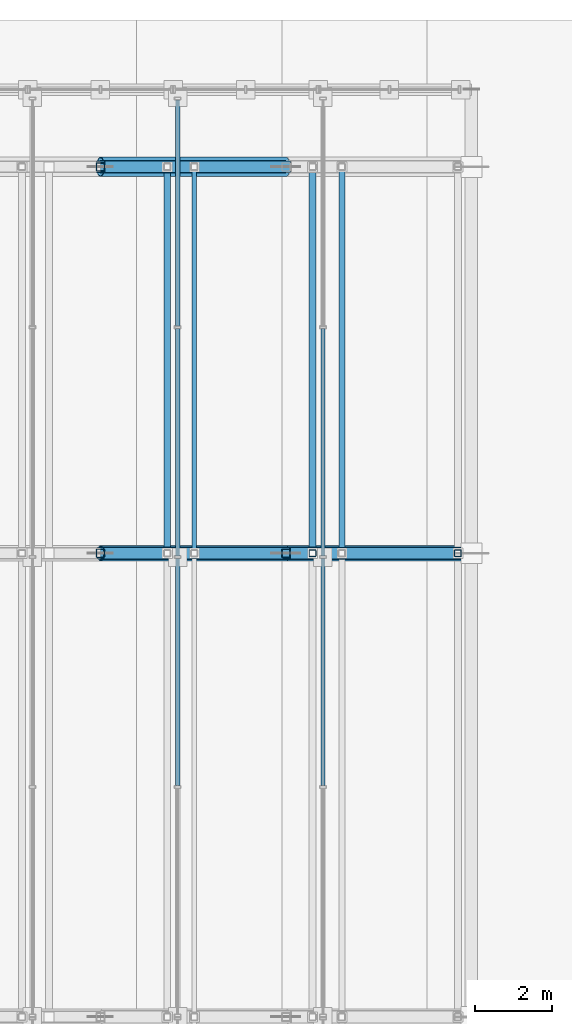
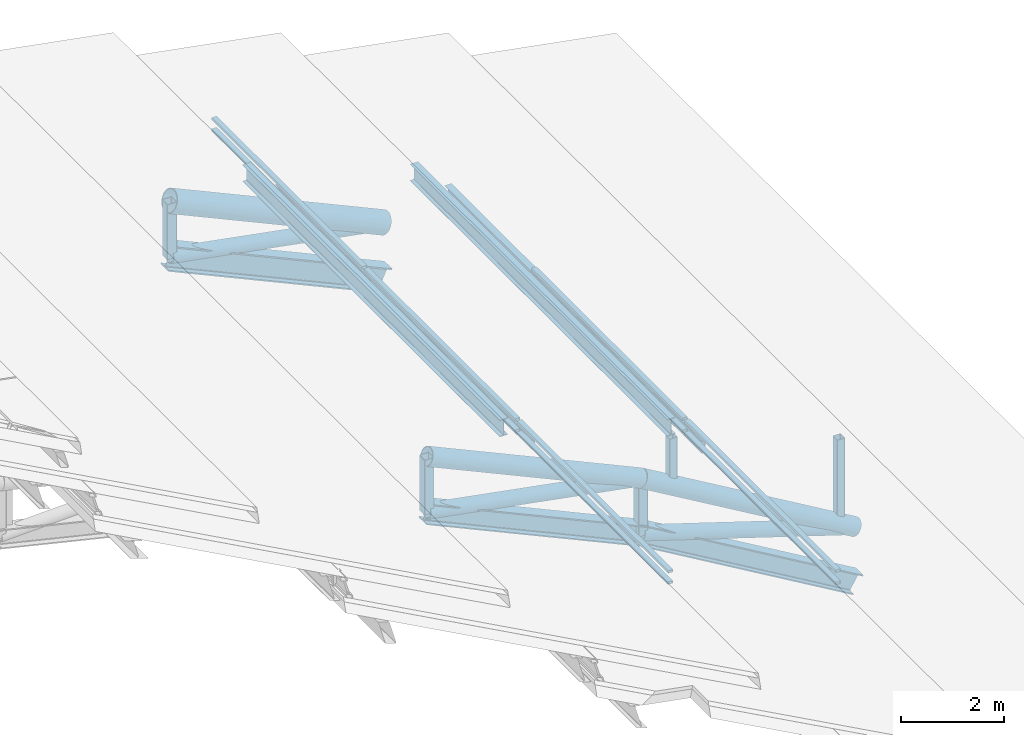
# One storey, part 41 of 117: 28 members, 2 elements without a shape of their own.
"""IFC4 building model written with IfcOpenShell, lengths in metres."""

import ifcopenshell
import ifcopenshell.guid

model = None  # the IFC model being written
_history = None  # IfcOwnerHistory: only IFC2X3 demands one
_inside = {}  # id of a spatial element -> (the spatial element, [elements in it])
_under = {}  # id of a project, library or spatial element -> (it, [spatial elements below it])
_declared = {}  # id of a project -> (the project, [libraries it declares])
_typed = {}  # id of a type object -> (the type object, [elements of that type])
_made_of = {}  # id of a material, layer set ... -> (it, [elements and type objects made of it])


def new_model(schema):
    """Start an empty IFC model of exactly this schema.

    Asked for "IFC4X3", IfcOpenShell would pick the latest addendum, in which some entities
    have other attributes; the version numbers below select the first issue.
    IFC2X3 requires an IfcOwnerHistory on every rooted entity: one is made here for all.
    """
    global model, _history
    if schema == "IFC4X3":
        model = ifcopenshell.file(schema_version=(4, 3, 0, 0))
    else:
        model = ifcopenshell.file(schema=schema)
    _inside.clear()
    _under.clear()
    _declared.clear()
    _typed.clear()
    _made_of.clear()
    _history = None
    if model.schema == "IFC2X3":
        org = make("IfcOrganization", Name="unknown")
        user = make(
            "IfcPersonAndOrganization",
            ThePerson=make("IfcPerson", FamilyName="unknown"),
            TheOrganization=org,
        )
        app = make(
            "IfcApplication",
            ApplicationDeveloper=org,
            Version="unknown",
            ApplicationFullName="unknown",
            ApplicationIdentifier="unknown",
        )
        _history = make(
            "IfcOwnerHistory",
            OwningUser=user,
            OwningApplication=app,
            ChangeAction="ADDED",
            CreationDate=0,
        )
    return model


def make(cls, **values):
    """One entity of the class cls with the attributes given. An attribute that is None is left unset."""
    return model.create_entity(
        cls, **{name: value for name, value in values.items() if value is not None}
    )


def rooted(cls, **values):
    """An entity with a GlobalId (a new one), such as an element, a storey or a relation."""
    return make(cls, GlobalId=ifcopenshell.guid.new(), OwnerHistory=_history, **values)


def si_unit(unit_type, name, prefix=None):
    """IfcSIUnit, for example si_unit("LENGTHUNIT", "METRE", prefix="MILLI")."""
    return make("IfcSIUnit", UnitType=unit_type, Prefix=prefix, Name=name)


def assignment(units):
    """IfcUnitAssignment: the units of a project."""
    return None if units is None else make("IfcUnitAssignment", Units=units)


def point(xyz):
    """IfcCartesianPoint."""
    return None if xyz is None else make("IfcCartesianPoint", Coordinates=xyz)


def direction(xyz):
    """IfcDirection."""
    return None if xyz is None else make("IfcDirection", DirectionRatios=xyz)


def frame(location, z_axis=None, x_axis=None):
    """IfcAxis2Placement3D, a coordinate frame: its origin and axes. An axis left out is left unset."""
    return make(
        "IfcAxis2Placement3D",
        Location=point(location),
        Axis=direction(z_axis),
        RefDirection=direction(x_axis),
    )


def frame_2d(location, x_axis=None):
    """IfcAxis2Placement2D, a coordinate frame in the plane: its origin and x axis."""
    return make(
        "IfcAxis2Placement2D", Location=point(location), RefDirection=direction(x_axis)
    )


def origin():
    """The frame at (0, 0, 0) with its axes left unset."""
    return frame((0.0, 0.0, 0.0))


def origin_2d():
    """The frame at (0, 0) in the plane with its x axis left unset."""
    return frame_2d((0.0, 0.0))


def place(relative_to, where):
    """IfcLocalPlacement: puts the frame where relative to a parent placement (None: the world)."""
    return make(
        "IfcLocalPlacement", PlacementRelTo=relative_to, RelativePlacement=where
    )


def context(
    kind, dimensions, precision=None, world=None, true_north=None, identifier=None
):
    """IfcGeometricRepresentationContext, for example the 3D "Model" context."""
    return make(
        "IfcGeometricRepresentationContext",
        ContextIdentifier=identifier,
        ContextType=kind,
        CoordinateSpaceDimension=dimensions,
        Precision=precision,
        WorldCoordinateSystem=world,
        TrueNorth=true_north,
    )


def subcontext(parent, identifier, kind, view, scale=None):
    """IfcGeometricRepresentationSubContext, for example "Body" below "Model"."""
    return make(
        "IfcGeometricRepresentationSubContext",
        ContextIdentifier=identifier,
        ContextType=kind,
        ParentContext=parent,
        TargetScale=scale,
        TargetView=view,
    )


def project(units=None, contexts=None):
    """IfcProject with its units and contexts."""
    return rooted(
        "IfcProject",
        Name="project",
        RepresentationContexts=contexts,
        UnitsInContext=assignment(units),
    )


def spatial(cls, under=None, at=None, **own):
    """A site, building, storey or space (cls), placed at a placement, below another one or the project."""
    s = rooted(cls, ObjectPlacement=at, **own)
    if under is not None:
        _under.setdefault(under.id(), (under, []))[1].append(s)
    return s


def profile(cls, at=None, kind="AREA", **sizes):
    """A parametric profile (cls). Its sizes go by their IFC names, for example OverallWidth=200.0."""
    return make(cls, ProfileType=kind, Position=at, **sizes)


def hollow_rectangle(**sizes):
    """IfcRectangleHollowProfileDef."""
    return profile("IfcRectangleHollowProfileDef", **sizes)


def hollow_circle(**sizes):
    """IfcCircleHollowProfileDef."""
    return profile("IfcCircleHollowProfileDef", **sizes)


def i_section(**sizes):
    """IfcIShapeProfileDef."""
    return profile("IfcIShapeProfileDef", **sizes)


def extrude(swept, where, along, depth):
    """IfcExtrudedAreaSolid: the profile swept, set in the frame where, extruded along a direction by depth."""
    return make(
        "IfcExtrudedAreaSolid",
        SweptArea=swept,
        Position=where,
        ExtrudedDirection=direction(along),
        Depth=depth,
    )


def shape(context_of_items, identifier, shape_type, items):
    """IfcShapeRepresentation: the items that make up one representation, for example the "Body"."""
    return make(
        "IfcShapeRepresentation",
        ContextOfItems=context_of_items,
        RepresentationIdentifier=identifier,
        RepresentationType=shape_type,
        Items=items,
    )


def material(Name=None, Category=None):
    """IfcMaterial."""
    return make("IfcMaterial", Name=Name, Category=Category)


def material_profile(
    of_material, cross_section, Name=None, Category=None, Priority=None
):
    """IfcMaterialProfile: a cross section and its material."""
    return make(
        "IfcMaterialProfile",
        Name=Name,
        Material=of_material,
        Profile=cross_section,
        Priority=Priority,
        Category=Category,
    )


def profile_set(profiles, Name=None, composite=None):
    """IfcMaterialProfileSet."""
    return make(
        "IfcMaterialProfileSet",
        Name=Name,
        MaterialProfiles=profiles,
        CompositeProfile=composite,
    )


def made_of(thing, what):
    """Note that an element or type object is made of a material, layer set ...; save() writes the relation."""
    if what is not None:
        _made_of.setdefault(what.id(), (what, []))[1].append(thing)
    return thing


def type_object(cls, material=None, **own):
    """A type object (cls), such as IfcWallType, which elements share."""
    return made_of(rooted(cls, **own), material)


def element(
    cls,
    number,
    at=None,
    inside=None,
    cuts=None,
    type_object=None,
    material=None,
    context=None,
    identifier="Body",
    shape_type=None,
    held_by="IfcProductDefinitionShape",
    body=None,
    shapes=None,
    **own,
):
    """One element of the class cls, such as IfcWall. Its Tag is "e" and its number.

    at: its placement. inside: the storey or other place that contains it. cuts: it is an
    opening in that element (IfcRelVoidsElement). A single representation is given by context,
    identifier, shape_type and body (its items); several are given by shapes. held_by: the class
    of the entity that holds the representations. save() writes the other relations.
    """
    e = rooted(cls, Tag="e%d" % number, ObjectPlacement=at, **own)
    if body is not None:
        shapes = [shape(context, identifier, shape_type, body)]
    if shapes is not None:
        e.Representation = make(held_by, Representations=shapes)
    if inside is not None:
        _inside.setdefault(inside.id(), (inside, []))[1].append(e)
    if cuts is not None:
        rooted(
            "IfcRelVoidsElement", RelatingBuildingElement=cuts, RelatedOpeningElement=e
        )
    if type_object is not None:
        _typed.setdefault(type_object.id(), (type_object, []))[1].append(e)
    return made_of(e, material)


def aggregate(whole, parts):
    """IfcRelAggregates: a whole, such as a stair, and the parts it consists of."""
    return rooted("IfcRelAggregates", RelatingObject=whole, RelatedObjects=parts)


def save(model, path):
    """Write the relations noted so far, then the file.

    IfcRelAggregates (storeys below a building ...), IfcRelContainedInSpatialStructure (elements
    in a storey), IfcRelDefinesByType, IfcRelAssociatesMaterial and IfcRelDeclares: one each for
    every whole, place, type object, material and project.
    """
    for whole, parts in _under.values():
        aggregate(whole, parts)
    for where, things in _inside.values():
        rooted(
            "IfcRelContainedInSpatialStructure",
            RelatedElements=things,
            RelatingStructure=where,
        )
    for kind, things in _typed.values():
        rooted("IfcRelDefinesByType", RelatedObjects=things, RelatingType=kind)
    for what, things in _made_of.values():
        rooted("IfcRelAssociatesMaterial", RelatedObjects=things, RelatingMaterial=what)
    for by, libraries in _declared.values():
        rooted("IfcRelDeclares", RelatingContext=by, RelatedDefinitions=libraries)
    model.write(path)


model = new_model("IFC4")

# Units and contexts
model_context = context("Model", 3, precision=1e-05, world=origin(), true_north=direction((0.0, 1.0)))
body_context = subcontext(model_context, "Body", "Model", "MODEL_VIEW")
ifc_project = project(units=[si_unit("LENGTHUNIT", "METRE"), si_unit("AREAUNIT", "SQUARE_METRE"), si_unit("VOLUMEUNIT", "CUBIC_METRE"), si_unit("PLANEANGLEUNIT", "RADIAN"), si_unit("MASSUNIT", "GRAM", prefix="KILO")], contexts=[model_context])

# Site, building, storey
site_placement = place(None, origin())
site = spatial("IfcSite", under=ifc_project, at=site_placement, CompositionType="ELEMENT")
building_placement = place(site_placement, origin())
building = spatial("IfcBuilding", under=site, at=building_placement, Name="Merenkruunu Market Hall", CompositionType="ELEMENT")
storey_placement = place(building_placement, frame((0.0, 0.0, 22.800048828125)))
storey = spatial("IfcBuildingStorey", under=building, at=storey_placement, Name="RF", CompositionType="ELEMENT", Elevation=22.800048828125)

# Members
ifc_material_1 = material(Name="Steel S355ML", Category="steel")
ifc_material_profile_1 = material_profile(ifc_material_1, hollow_circle(Radius=0.25390625, WallThickness=0.02001953125, at=origin_2d()), Name="CHS 508x20")
ifc_profile_set_1 = profile_set([ifc_material_profile_1], Name="Steel S355ML")
member_type_1 = type_object("IfcMemberType", Name="Arch Truss Chord TC01", PredefinedType="CHORD", material=ifc_profile_set_1)
member_1_placement = place(storey_placement, frame((48.0, 109.60009765625, -5.12109375), z_axis=(0.909419998666, 0.0, -0.415878907889), x_axis=(0.0, 1.0, 0.0)))
element("IfcMember", 1, at=member_1_placement, inside=storey, type_object=member_type_1, Name="TRUSS-AT-G-TOP-11", PredefinedType="CHORD", context=body_context, shape_type="SweptSolid", body=[
    extrude(hollow_circle(Radius=0.25390625, WallThickness=0.02001953125, at=origin_2d()), origin(), (0.0, 0.0, 1.0), 5.278076171875),
])
ifc_material_profile_2 = material_profile(ifc_material_1, hollow_circle(Radius=0.203125, WallThickness=0.01611328125, at=origin_2d()), Name="CHS 406.4x16")
ifc_profile_set_2 = profile_set([ifc_material_profile_2], Name="Steel S355ML")
member_type_2 = type_object("IfcMemberType", Name="Arch Truss Chord TC02", PredefinedType="CHORD", material=ifc_profile_set_2)
member_2_placement = place(storey_placement, frame((48.0, 99.60009765625, -5.12109375), z_axis=(0.909419998666, 0.0, -0.415878907889), x_axis=(0.0, 1.0, 0.0)))
element("IfcMember", 2, at=member_2_placement, inside=storey, type_object=member_type_2, Name="TRUSS-AT-8-TOP-11", PredefinedType="CHORD", context=body_context, shape_type="SweptSolid", body=[
    extrude(hollow_circle(Radius=0.203125, WallThickness=0.01611328125, at=origin_2d()), origin(), (0.0, 0.0, 1.0), 5.278076171875),
])
member_3_placement = place(storey_placement, frame((52.800048828125, 99.60009765625, -7.316162109375), z_axis=(0.861115679414, 0.0, -0.508409074139), x_axis=(0.0, 1.0, 0.0)))
element("IfcMember", 3, at=member_3_placement, inside=storey, type_object=member_type_2, Name="TRUSS-AT-8-TOP-12", PredefinedType="CHORD", context=body_context, shape_type="SweptSolid", body=[
    extrude(hollow_circle(Radius=0.203125, WallThickness=0.01611328125, at=origin_2d()), origin(), (0.0, 0.0, 1.0), 5.57421875),
])
ifc_material_profile_3 = material_profile(ifc_material_1, i_section(OverallWidth=0.300048828125, OverallDepth=0.550048828125, WebThickness=0.014892578125, FlangeThickness=0.029052734375, FilletRadius=0.027099609375, at=origin_2d()), Name="HEB 550")
ifc_profile_set_3 = profile_set([ifc_material_profile_3], Name="Steel S355ML")
member_type_3 = type_object("IfcMemberType", Name="Arch Truss Chord TC03", PredefinedType="CHORD", material=ifc_profile_set_3)
member_4_placement = place(storey_placement, frame((48.0, 109.60009765625, -6.421142578125), z_axis=(0.909437492245, 0.0, -0.415840651812), x_axis=(0.0, 1.0, 0.0)))
element("IfcMember", 4, at=member_4_placement, inside=storey, type_object=member_type_3, Name="TRUSS-AT-G-BOT-11", PredefinedType="CHORD", context=body_context, shape_type="SweptSolid", body=[
    extrude(i_section(OverallWidth=0.300048828125, OverallDepth=0.550048828125, WebThickness=0.014892578125, FlangeThickness=0.029052734375, FilletRadius=0.027099609375, at=origin_2d()), origin(), (0.0, 0.0, 1.0), 5.278076171875),
])
ifc_material_profile_4 = material_profile(ifc_material_1, i_section(OverallWidth=0.300048828125, OverallDepth=0.449951171875, WebThickness=0.013916015625, FlangeThickness=0.02587890625, FilletRadius=0.027099609375, at=origin_2d()), Name="HEB 450")
ifc_profile_set_4 = profile_set([ifc_material_profile_4], Name="Steel S355ML")
member_type_4 = type_object("IfcMemberType", Name="Arch Truss Chord TC04", PredefinedType="CHORD", material=ifc_profile_set_4)
member_5_placement = place(storey_placement, frame((48.0, 99.60009765625, -6.421142578125), z_axis=(0.909437492245, 0.0, -0.415840651812), x_axis=(0.0, 1.0, 0.0)))
element("IfcMember", 5, at=member_5_placement, inside=storey, type_object=member_type_4, Name="TRUSS-AT-8-BOT-11", PredefinedType="CHORD", context=body_context, shape_type="SweptSolid", body=[
    extrude(i_section(OverallWidth=0.300048828125, OverallDepth=0.449951171875, WebThickness=0.013916015625, FlangeThickness=0.02587890625, FilletRadius=0.027099609375, at=origin_2d()), origin(), (0.0, 0.0, 1.0), 5.278076171875),
])
member_6_placement = place(storey_placement, frame((52.800048828125, 99.60009765625, -8.615966796875), z_axis=(0.861115679414, 0.0, -0.508409074139), x_axis=(0.0, 1.0, 0.0)))
element("IfcMember", 6, at=member_6_placement, inside=storey, type_object=member_type_4, Name="TRUSS-AT-8-BOT-12", PredefinedType="CHORD", context=body_context, shape_type="SweptSolid", body=[
    extrude(i_section(OverallWidth=0.300048828125, OverallDepth=0.449951171875, WebThickness=0.013916015625, FlangeThickness=0.02587890625, FilletRadius=0.027099609375, at=origin_2d()), origin(), (0.0, 0.0, 1.0), 5.57421875),
])

# Curtain wall, members
ifc_material_2 = material(Name="Powder-coated aluminium", Category="aluminium")
curtain_wall_type = type_object("IfcCurtainWallType", Name="Clerestory Curtain Band CL05", PredefinedType="USERDEFINED", material=ifc_material_2)
curtain_wall_1_placement = place(storey_placement, origin())
curtain_wall_1 = element("IfcCurtainWall", 7, at=curtain_wall_1_placement, inside=storey, type_object=curtain_wall_type, Name="CW-RF-CWM04-088", ObjectType="CLERESTORY_BAND", PredefinedType="USERDEFINED")
ifc_material_profile_5 = material_profile(ifc_material_2, hollow_rectangle(XDim=0.06005859375, YDim=0.110107421875, WallThickness=0.00390625, at=origin_2d()), Name="ALU 60x110x4")
ifc_profile_set_5 = profile_set([ifc_material_profile_5], Name="Powder-coated aluminium")
member_type_5 = type_object("IfcMemberType", Name="Curtain Wall Transom CWT03", PredefinedType="USERDEFINED", material=ifc_profile_set_5)
member_7_placement = place(storey_placement, frame((53.760009765625, 105.4150390625, -6.491943359375), z_axis=(0.0, -1.0, 0.0), x_axis=(0.0, 0.0, 1.0)))
member_7 = element("IfcMember", 8, at=member_7_placement, type_object=member_type_5, Name="CL05 transom 2.1", ObjectType="TRANSOM", PredefinedType="USERDEFINED", context=body_context, shape_type="SweptSolid", body=[
    extrude(hollow_rectangle(XDim=0.06005859375, YDim=0.110107421875, WallThickness=0.00390625, at=origin_2d()), origin(), (0.0, 0.0, 1.0), 5.880126953125),
])
member_8_placement = place(storey_placement, frame((53.760009765625, 105.4150390625, -6.2041015625), z_axis=(0.0, -1.0, 0.0), x_axis=(0.0, 0.0, 1.0)))
member_8 = element("IfcMember", 9, at=member_8_placement, type_object=member_type_5, Name="CL05 transom 2.2", ObjectType="TRANSOM", PredefinedType="USERDEFINED", context=body_context, shape_type="SweptSolid", body=[
    extrude(hollow_rectangle(XDim=0.06005859375, YDim=0.110107421875, WallThickness=0.00390625, at=origin_2d()), origin(), (0.0, 0.0, 1.0), 5.880126953125),
])
member_9_placement = place(storey_placement, frame((53.760009765625, 99.465087890625, -6.491943359375), z_axis=(0.0, -1.0, 0.0), x_axis=(0.0, 0.0, 1.0)))
member_9 = element("IfcMember", 10, at=member_9_placement, type_object=member_type_5, Name="CL05 transom 3.1", ObjectType="TRANSOM", PredefinedType="USERDEFINED", context=body_context, shape_type="SweptSolid", body=[
    extrude(hollow_rectangle(XDim=0.06005859375, YDim=0.110107421875, WallThickness=0.00390625, at=origin_2d()), origin(), (0.0, 0.0, 1.0), 5.880126953125),
])
member_10_placement = place(storey_placement, frame((53.760009765625, 99.465087890625, -6.2041015625), z_axis=(0.0, -1.0, 0.0), x_axis=(0.0, 0.0, 1.0)))
member_10 = element("IfcMember", 11, at=member_10_placement, type_object=member_type_5, Name="CL05 transom 3.2", ObjectType="TRANSOM", PredefinedType="USERDEFINED", context=body_context, shape_type="SweptSolid", body=[
    extrude(hollow_rectangle(XDim=0.06005859375, YDim=0.110107421875, WallThickness=0.00390625, at=origin_2d()), origin(), (0.0, 0.0, 1.0), 5.880126953125),
])
aggregate(curtain_wall_1, [member_7, member_8, member_9, member_10])

curtain_wall_2_placement = place(storey_placement, origin())
curtain_wall_2 = element("IfcCurtainWall", 12, at=curtain_wall_2_placement, inside=storey, type_object=curtain_wall_type, Name="CW-RF-CWM04-096", ObjectType="CLERESTORY_BAND", PredefinedType="USERDEFINED")
member_11_placement = place(storey_placement, frame((50.0, 111.330078125, -5.172119140625), z_axis=(0.0, -1.0, 0.0), x_axis=(0.0, 0.0, 1.0)))
member_11 = element("IfcMember", 13, at=member_11_placement, type_object=member_type_5, Name="CL05 transom 1.1", ObjectType="TRANSOM", PredefinedType="USERDEFINED", context=body_context, shape_type="SweptSolid", body=[
    extrude(hollow_rectangle(XDim=0.06005859375, YDim=0.110107421875, WallThickness=0.00390625, at=origin_2d()), origin(), (0.0, 0.0, 1.0), 5.844970703125),
])
member_12_placement = place(storey_placement, frame((50.0, 111.330078125, -4.905029296875), z_axis=(0.0, -1.0, 0.0), x_axis=(0.0, 0.0, 1.0)))
member_12 = element("IfcMember", 14, at=member_12_placement, type_object=member_type_5, Name="CL05 transom 1.2", ObjectType="TRANSOM", PredefinedType="USERDEFINED", context=body_context, shape_type="SweptSolid", body=[
    extrude(hollow_rectangle(XDim=0.06005859375, YDim=0.110107421875, WallThickness=0.00390625, at=origin_2d()), origin(), (0.0, 0.0, 1.0), 5.844970703125),
])
member_13_placement = place(storey_placement, frame((50.0, 105.4150390625, -5.172119140625), z_axis=(0.0, -1.0, 0.0), x_axis=(0.0, 0.0, 1.0)))
member_13 = element("IfcMember", 15, at=member_13_placement, type_object=member_type_5, Name="CL05 transom 2.1", ObjectType="TRANSOM", PredefinedType="USERDEFINED", context=body_context, shape_type="SweptSolid", body=[
    extrude(hollow_rectangle(XDim=0.06005859375, YDim=0.110107421875, WallThickness=0.00390625, at=origin_2d()), origin(), (0.0, 0.0, 1.0), 5.880126953125),
])
member_14_placement = place(storey_placement, frame((50.0, 105.4150390625, -4.905029296875), z_axis=(0.0, -1.0, 0.0), x_axis=(0.0, 0.0, 1.0)))
member_14 = element("IfcMember", 16, at=member_14_placement, type_object=member_type_5, Name="CL05 transom 2.2", ObjectType="TRANSOM", PredefinedType="USERDEFINED", context=body_context, shape_type="SweptSolid", body=[
    extrude(hollow_rectangle(XDim=0.06005859375, YDim=0.110107421875, WallThickness=0.00390625, at=origin_2d()), origin(), (0.0, 0.0, 1.0), 5.880126953125),
])
member_15_placement = place(storey_placement, frame((50.0, 99.465087890625, -5.172119140625), z_axis=(0.0, -1.0, 0.0), x_axis=(0.0, 0.0, 1.0)))
member_15 = element("IfcMember", 17, at=member_15_placement, type_object=member_type_5, Name="CL05 transom 3.1", ObjectType="TRANSOM", PredefinedType="USERDEFINED", context=body_context, shape_type="SweptSolid", body=[
    extrude(hollow_rectangle(XDim=0.06005859375, YDim=0.110107421875, WallThickness=0.00390625, at=origin_2d()), origin(), (0.0, 0.0, 1.0), 5.880126953125),
])
member_16_placement = place(storey_placement, frame((50.0, 99.465087890625, -4.905029296875), z_axis=(0.0, -1.0, 0.0), x_axis=(0.0, 0.0, 1.0)))
member_16 = element("IfcMember", 18, at=member_16_placement, type_object=member_type_5, Name="CL05 transom 3.2", ObjectType="TRANSOM", PredefinedType="USERDEFINED", context=body_context, shape_type="SweptSolid", body=[
    extrude(hollow_rectangle(XDim=0.06005859375, YDim=0.110107421875, WallThickness=0.00390625, at=origin_2d()), origin(), (0.0, 0.0, 1.0), 5.880126953125),
])
aggregate(curtain_wall_2, [member_11, member_12, member_13, member_14, member_15, member_16])

# Members
ifc_material_profile_6 = material_profile(ifc_material_1, hollow_circle(Radius=0.161865234375, WallThickness=0.01611328125, at=origin_2d()), Name="CHS 323.9x16")
ifc_profile_set_6 = profile_set([ifc_material_profile_6], Name="Steel S355ML")
member_type_6 = type_object("IfcMemberType", Name="Diagonal Sway Brace BR01", PredefinedType="BRACE", material=ifc_profile_set_6)
member_17_placement = place(storey_placement, frame((48.0, 99.60009765625, -6.421142578125), z_axis=(0.983056786802, 0.0, -0.18330126547), x_axis=(0.0, 1.0, 0.0)))
element("IfcMember", 19, at=member_17_placement, inside=storey, type_object=member_type_6, Name="TRUSS-AT-8-DIAG-11", PredefinedType="BRACE", context=body_context, shape_type="SweptSolid", body=[
    extrude(hollow_circle(Radius=0.161865234375, WallThickness=0.01611328125, at=origin_2d()), origin(), (0.0, 0.0, 1.0), 4.8828125),
])
member_18_placement = place(storey_placement, frame((52.800048828125, 99.60009765625, -8.615966796875), z_axis=(0.95252984503, 0.0, -0.304445223853), x_axis=(0.0, 1.0, 0.0)))
element("IfcMember", 20, at=member_18_placement, inside=storey, type_object=member_type_6, Name="TRUSS-AT-8-DIAG-12", PredefinedType="BRACE", context=body_context, shape_type="SweptSolid", body=[
    extrude(hollow_circle(Radius=0.161865234375, WallThickness=0.01611328125, at=origin_2d()), origin(), (0.0, 0.0, 1.0), 5.039306640625),
])
member_19_placement = place(storey_placement, frame((48.0, 109.60009765625, -6.421142578125), z_axis=(0.983056786802, 0.0, -0.18330126547), x_axis=(0.0, 1.0, 0.0)))
element("IfcMember", 21, at=member_19_placement, inside=storey, type_object=member_type_6, Name="TRUSS-AT-G-DIAG-11", PredefinedType="BRACE", context=body_context, shape_type="SweptSolid", body=[
    extrude(hollow_circle(Radius=0.161865234375, WallThickness=0.01611328125, at=origin_2d()), origin(), (0.0, 0.0, 1.0), 4.8828125),
])
ifc_material_3 = material(Name="Steel S355J2", Category="steel")
ifc_material_profile_7 = material_profile(ifc_material_3, hollow_rectangle(XDim=0.219970703125, YDim=0.219970703125, WallThickness=0.012451171875, InnerFilletRadius=0.012451171875, OuterFilletRadius=0.02490234375, at=origin_2d()), Name="SHS 220x220x12.5")
ifc_profile_set_7 = profile_set([ifc_material_profile_7], Name="Steel S355J2")
member_type_7 = type_object("IfcMemberType", Name="Diagonal Sway Brace BR04", PredefinedType="BRACE", material=ifc_profile_set_7)
member_20_placement = place(storey_placement, frame((48.0, 99.60009765625, -6.421142578125), z_axis=(0.0, 0.0, 1.0), x_axis=(1.0, 0.0, 0.0)))
element("IfcMember", 22, at=member_20_placement, inside=storey, type_object=member_type_7, Name="TRUSS-AT-8-POST-10", PredefinedType="BRACE", context=body_context, shape_type="SweptSolid", body=[
    extrude(hollow_rectangle(XDim=0.219970703125, YDim=0.219970703125, WallThickness=0.012451171875, InnerFilletRadius=0.012451171875, OuterFilletRadius=0.02490234375, at=origin_2d()), origin(), (0.0, 0.0, 1.0), 1.300048828125),
])
member_21_placement = place(storey_placement, frame((52.800048828125, 99.60009765625, -8.615966796875), z_axis=(0.0, 0.0, 1.0), x_axis=(1.0, 0.0, 0.0)))
element("IfcMember", 23, at=member_21_placement, inside=storey, type_object=member_type_7, Name="TRUSS-AT-8-POST-11", PredefinedType="BRACE", context=body_context, shape_type="SweptSolid", body=[
    extrude(hollow_rectangle(XDim=0.219970703125, YDim=0.219970703125, WallThickness=0.012451171875, InnerFilletRadius=0.012451171875, OuterFilletRadius=0.02490234375, at=origin_2d()), origin(), (0.0, 0.0, 1.0), 1.2998046875),
])
member_22_placement = place(storey_placement, frame((48.0, 109.60009765625, -6.421142578125), z_axis=(0.0, 0.0, 1.0), x_axis=(1.0, 0.0, 0.0)))
element("IfcMember", 24, at=member_22_placement, inside=storey, type_object=member_type_7, Name="TRUSS-AT-G-POST-10", PredefinedType="BRACE", context=body_context, shape_type="SweptSolid", body=[
    extrude(hollow_rectangle(XDim=0.219970703125, YDim=0.219970703125, WallThickness=0.012451171875, InnerFilletRadius=0.012451171875, OuterFilletRadius=0.02490234375, at=origin_2d()), origin(), (0.0, 0.0, 1.0), 1.300048828125),
])
ifc_material_profile_8 = material_profile(ifc_material_3, hollow_rectangle(XDim=0.179931640625, YDim=0.179931640625, WallThickness=0.010009765625, InnerFilletRadius=0.010009765625, OuterFilletRadius=0.02001953125, at=origin_2d()), Name="SHS 180x180x10")
ifc_profile_set_8 = profile_set([ifc_material_profile_8], Name="Steel S355J2")
member_type_8 = type_object("IfcMemberType", Name="Diagonal Sway Brace BR05", PredefinedType="BRACE", material=ifc_profile_set_8)
member_23_placement = place(storey_placement, frame((57.25, 99.60009765625, -9.751953125), z_axis=(0.0, 0.0, 1.0), x_axis=(1.0, 0.0, 0.0)))
element("IfcMember", 25, at=member_23_placement, inside=storey, type_object=member_type_8, Name="TRUSS-AT-8-RISER-E1-1", PredefinedType="BRACE", context=body_context, shape_type="SweptSolid", body=[
    extrude(hollow_rectangle(XDim=0.179931640625, YDim=0.179931640625, WallThickness=0.010009765625, InnerFilletRadius=0.010009765625, OuterFilletRadius=0.02001953125, at=origin_2d()), origin(), (0.0, 0.0, 1.0), 1.853515625),
])
member_24_placement = place(storey_placement, frame((53.489990234375, 99.60009765625, -7.53173828125), z_axis=(0.0, 0.0, 1.0), x_axis=(1.0, 0.0, 0.0)))
element("IfcMember", 26, at=member_24_placement, inside=storey, type_object=member_type_8, Name="TRUSS-AT-8-RISER-E2-1", PredefinedType="BRACE", context=body_context, shape_type="SweptSolid", body=[
    extrude(hollow_rectangle(XDim=0.179931640625, YDim=0.179931640625, WallThickness=0.010009765625, InnerFilletRadius=0.010009765625, OuterFilletRadius=0.02001953125, at=origin_2d()), origin(), (0.0, 0.0, 1.0), 0.9736328125),
])
ifc_material_profile_9 = material_profile(ifc_material_1, i_section(OverallWidth=0.14990234375, OverallDepth=0.300048828125, WebThickness=0.007080078125, FlangeThickness=0.0107421875, FilletRadius=0.014892578125, at=origin_2d()), Name="IPE 300")
ifc_profile_set_9 = profile_set([ifc_material_profile_9], Name="Steel S355ML")
member_type_9 = type_object("IfcMemberType", Name="Roof Purlin Rafter PR01", PredefinedType="PURLIN", material=ifc_profile_set_9)
member_25_placement = place(storey_placement, frame((54.25, 99.60009765625, -7.071533203125), z_axis=(0.0, 1.0, 0.0), x_axis=(-1.0, 0.0, 0.0)))
element("IfcMember", 27, at=member_25_placement, inside=storey, type_object=member_type_9, Name="MEM-RF-PURL-E-032", PredefinedType="PURLIN", context=body_context, shape_type="SweptSolid", body=[
    extrude(i_section(OverallWidth=0.14990234375, OverallDepth=0.300048828125, WebThickness=0.007080078125, FlangeThickness=0.0107421875, FilletRadius=0.014892578125, at=origin_2d()), origin(), (0.0, 0.0, 1.0), 10.0),
])
ifc_material_profile_10 = material_profile(ifc_material_1, i_section(OverallWidth=0.1201171875, OverallDepth=0.239990234375, WebThickness=0.006103515625, FlangeThickness=0.009765625, FilletRadius=0.014892578125, at=origin_2d()), Name="IPE 240")
ifc_profile_set_10 = profile_set([ifc_material_profile_10], Name="Steel S355ML")
member_type_10 = type_object("IfcMemberType", Name="Roof Purlin Rafter PR02", PredefinedType="PURLIN", material=ifc_profile_set_10)
member_26_placement = place(storey_placement, frame((50.429931640625, 99.60009765625, -5.687255859375), z_axis=(0.0, 1.0, 0.0), x_axis=(-1.0, 0.0, 0.0)))
element("IfcMember", 28, at=member_26_placement, inside=storey, type_object=member_type_10, Name="MEM-RF-PURL-E-064", PredefinedType="PURLIN", context=body_context, shape_type="SweptSolid", body=[
    extrude(i_section(OverallWidth=0.1201171875, OverallDepth=0.239990234375, WebThickness=0.006103515625, FlangeThickness=0.009765625, FilletRadius=0.014892578125, at=origin_2d()), origin(), (0.0, 0.0, 1.0), 10.0),
])
ifc_material_profile_11 = material_profile(ifc_material_1, i_section(OverallWidth=0.179931640625, OverallDepth=0.39990234375, WebThickness=0.008544921875, FlangeThickness=0.013427734375, FilletRadius=0.02099609375, at=origin_2d()), Name="IPE 400")
ifc_profile_set_11 = profile_set([ifc_material_profile_11], Name="Steel S355ML")
member_type_11 = type_object("IfcMemberType", Name="Roof Purlin Rafter PR09", PredefinedType="PURLIN", material=ifc_profile_set_11)
for number, where, z_axis, x_axis, name in (
    (29, (53.489990234375, 99.60009765625, -6.340087890625), (0.0, 1.0, 0.0), (-1.0, 0.0, 0.0), "MEM-RF-PURL-E-048"),
    (30, (49.72998046875, 99.60009765625, -5.040283203125), (0.0, 1.0, 0.0), (-1.0, 0.0, 0.0), "MEM-RF-PURL-E-080"),
):
    element("IfcMember", number, at=place(storey_placement, frame(where, z_axis=z_axis, x_axis=x_axis)), inside=storey, type_object=member_type_11, Name=name, PredefinedType="PURLIN", context=body_context, shape_type="SweptSolid", body=[
        extrude(i_section(OverallWidth=0.179931640625, OverallDepth=0.39990234375, WebThickness=0.008544921875, FlangeThickness=0.013427734375, FilletRadius=0.02099609375, at=origin_2d()), origin(), (0.0, 0.0, 1.0), 10.0),
    ])

save(model, "model.ifc")
